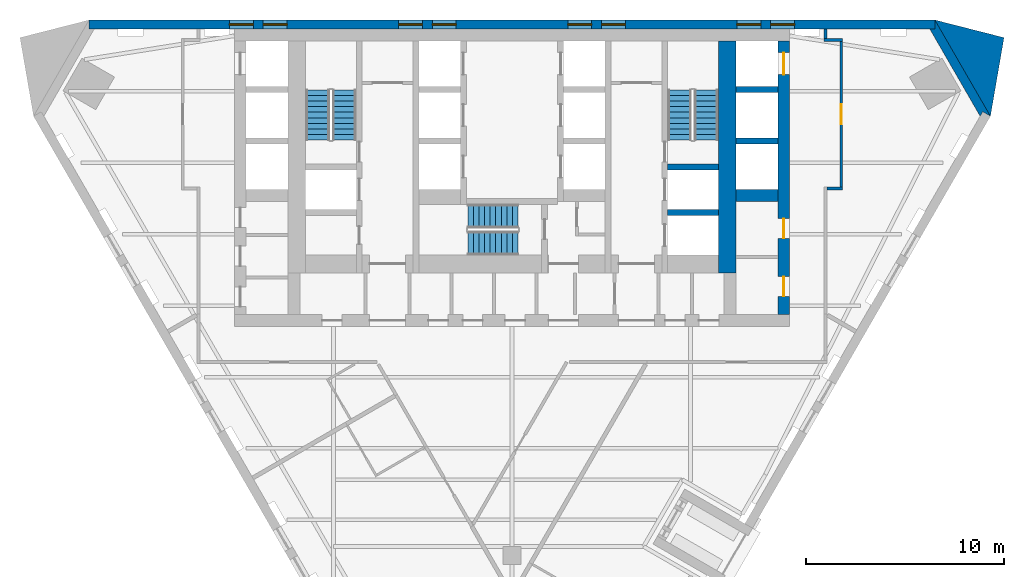
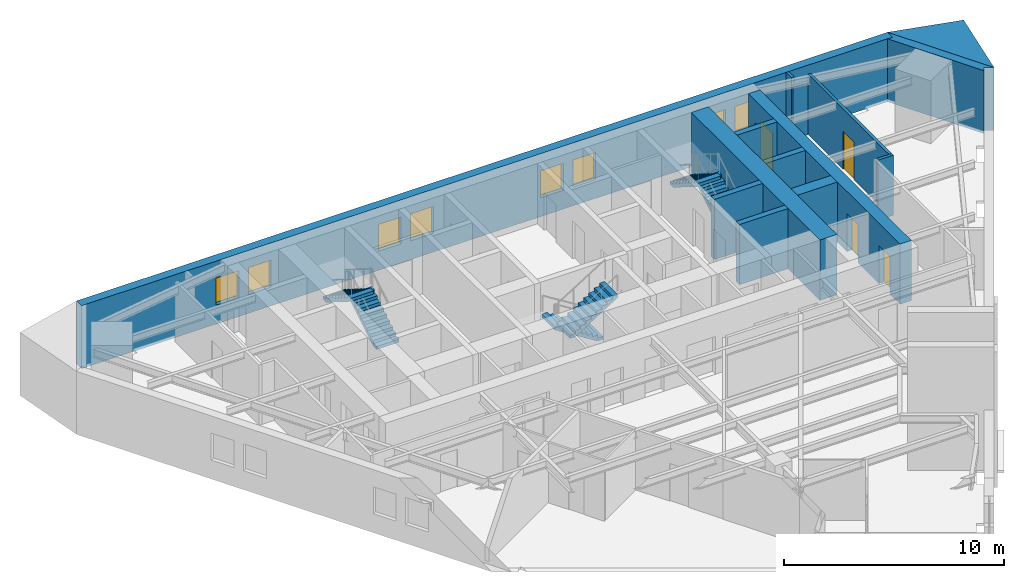
# One storey, part 6 of 7: 14 walls, 8 windows, 6 stair flights, 4 doors, 12 openings, 3 elements without a shape of their own.
"""IFC4 building model written with IfcOpenShell, lengths in metres."""

from ifc_helpers import new_model, si_unit, direction, frame, frame_2d, origin, place, context, subcontext, project, spatial, polyline, rectangle, outline, extrude, material, layer, layer_set, type_object, element, fill, aggregate, save


model = new_model("IFC4")

# Units and contexts
model_context = context("Model", 3, precision=1e-05, world=origin(), true_north=direction((0.0, 1.0)))
body_context = subcontext(model_context, "Body", "Model", "MODEL_VIEW")
ifc_project = project(units=[si_unit("LENGTHUNIT", "METRE"), si_unit("AREAUNIT", "SQUARE_METRE"), si_unit("VOLUMEUNIT", "CUBIC_METRE"), si_unit("PLANEANGLEUNIT", "RADIAN"), si_unit("MASSUNIT", "GRAM", prefix="KILO")], contexts=[model_context])

# Site, building, storey
site_placement = place(None, origin())
site = spatial("IfcSite", under=ifc_project, at=site_placement, CompositionType="ELEMENT")
building_placement = place(site_placement, origin())
building = spatial("IfcBuilding", under=site, at=building_placement, Name="Aloe Facet Convention Tower", CompositionType="ELEMENT")
storey_placement = place(building_placement, frame((0.0, 0.0, 113.300048828125)))
storey = spatial("IfcBuildingStorey", under=building, at=storey_placement, Name="L28", CompositionType="ELEMENT", Elevation=113.300048828125)

# Walls
ifc_material_1 = material(Name="Concrete C70/85", Category="concrete")
ifc_layer_1 = layer(ifc_material_1, 0.300048828125)
ifc_layer_set_1 = layer_set([ifc_layer_1], Name="CR-W-RC300-C7085")
wall_type_1 = type_object("IfcWallType", Name="CR-W-RC300-C7085", PredefinedType="SOLIDWALL", material=ifc_layer_set_1)
for number, where, z_axis, x_axis, name in (
    (1, (87.85009765625, 127.60009765625, 0.0), (0.0, 0.0, 1.0), (1.0, 0.0, 0.0), "Core wall L28-044"),
    (2, (87.85009765625, 125.300048828125, 0.0), (0.0, 0.0, 1.0), (1.0, 0.0, 0.0), "Core wall L28-045"),
):
    element("IfcWall", number, at=place(storey_placement, frame(where, z_axis=z_axis, x_axis=x_axis)), inside=storey, type_object=wall_type_1, Name=name, PredefinedType="SOLIDWALL", context=body_context, shape_type="SweptSolid", body=[
        extrude(rectangle(XDim=2.5498046875, YDim=0.300048828125, at=frame_2d((1.27490234375, 0.0))), origin(), (0.0, 0.0, 1.0), 3.349853515625),
    ])
for number, where, z_axis, x_axis, name in (
    (3, (91.300048828125, 131.5, 0.0), (0.0, 0.0, 1.0), (1.0, 0.0, 0.0), "Core wall L28-050"),
    (4, (91.300048828125, 128.89990234375, 0.0), (0.0, 0.0, 1.0), (1.0, 0.0, 0.0), "Core wall L28-051"),
):
    element("IfcWall", number, at=place(storey_placement, frame(where, z_axis=z_axis, x_axis=x_axis)), inside=storey, type_object=wall_type_1, Name=name, PredefinedType="SOLIDWALL", context=body_context, shape_type="SweptSolid", body=[
        extrude(rectangle(XDim=2.099853515625, YDim=0.300048828125, at=frame_2d((1.0498046875, 0.0))), origin(), (0.0, 0.0, 1.0), 3.349853515625),
    ])
ifc_material_2 = material(Name="Concrete C70/85", Category="concrete")
ifc_layer_2 = layer(ifc_material_2, 0.60009765625)
ifc_layer_set_2 = layer_set([ifc_layer_2], Name="CR-W-RC600-C7085")
wall_type_2 = type_object("IfcWallType", Name="CR-W-RC600-C7085", PredefinedType="SOLIDWALL", material=ifc_layer_set_2)
wall_1_placement = place(storey_placement, frame((91.300048828125, 126.14990234375, 0.0), z_axis=(0.0, 0.0, 1.0), x_axis=(1.0, 0.0, 0.0)))
element("IfcWall", 5, at=wall_1_placement, inside=storey, type_object=wall_type_2, Name="Core wall L28-052", PredefinedType="SOLIDWALL", context=body_context, shape_type="SweptSolid", body=[
    extrude(rectangle(XDim=2.099853515625, YDim=0.60009765625, at=frame_2d((1.0498046875, 0.0))), origin(), (0.0, 0.0, 1.0), 3.349853515625),
])

# Wall, openings, doors
wall_2_placement = place(storey_placement, frame((93.699951171875, 133.949951171875, 0.0), z_axis=(0.0, 0.0, 1.0), x_axis=(0.0, -1.0, 0.0)))
wall_2 = element("IfcWall", 6, at=wall_2_placement, inside=storey, type_object=wall_type_2, Name="Core wall L28-054", PredefinedType="SOLIDWALL", context=body_context, shape_type="SweptSolid", body=[
    extrude(rectangle(XDim=13.800048828125, YDim=0.60009765625, at=frame_2d((6.89990234375, 0.0))), origin(), (0.0, 0.0, 1.0), 3.349853515625),
])
opening_1_placement = place(wall_2_placement, frame((0.60009765625, 0.0, 0.0)))
opening_1 = element("IfcOpeningElement", 7, at=opening_1_placement, cuts=wall_2, Name="Opening LD-A8-L28", PredefinedType="OPENING", context=body_context, shape_type="SweptSolid", body=[
    extrude(rectangle(XDim=1.10009765625, YDim=2.10009765625, at=frame_2d((0.550048828125, 1.050048828125))), frame((0.0, 0.31005859375, 0.0), z_axis=(0.0, -1.0, 0.0), x_axis=(1.0, 0.0, 0.0)), (0.0, 0.0, 1.0), 0.6201171875),
])
opening_2_placement = place(wall_2_placement, frame((8.963134765625, 0.0, 0.0)))
opening_2 = element("IfcOpeningElement", 8, at=opening_2_placement, cuts=wall_2, Name="Opening L28-CD09", PredefinedType="OPENING", context=body_context, shape_type="SweptSolid", body=[
    extrude(rectangle(XDim=1.0, YDim=2.10009765625, at=frame_2d((0.5, 1.050048828125))), frame((0.0, 0.31005859375, 0.0), z_axis=(0.0, -1.0, 0.0), x_axis=(1.0, 0.0, 0.0)), (0.0, 0.0, 1.0), 0.6201171875),
])
opening_3_placement = place(wall_2_placement, frame((11.88818359375, 0.0, 0.0)))
opening_3 = element("IfcOpeningElement", 9, at=opening_3_placement, cuts=wall_2, Name="Opening L28-CD10", PredefinedType="OPENING", context=body_context, shape_type="SweptSolid", body=[
    extrude(rectangle(XDim=1.0, YDim=2.10009765625, at=frame_2d((0.5, 1.050048828125))), frame((0.0, 0.31005859375, 0.0), z_axis=(0.0, -1.0, 0.0), x_axis=(1.0, 0.0, 0.0)), (0.0, 0.0, 1.0), 0.6201171875),
])
ifc_material_3 = material(Name="Steel fire-resisting door set FD60", Category="steel")
door_type_1 = type_object("IfcDoorType", Name="CR-D-ROOM-1000-FD60-SLEFT", OperationType="SINGLE_SWING_LEFT", PredefinedType="DOOR", material=ifc_material_3)
door_1_placement = place(opening_2_placement, origin())
door_1 = element("IfcDoor", 10, at=door_1_placement, inside=storey, type_object=door_type_1, Name="Core door L28-CD09", OperationType="SINGLE_SWING_LEFT", OverallHeight=2.10009765625, OverallWidth=1.0, PredefinedType="DOOR", context=body_context, shape_type="SweptSolid", body=[
    extrude(rectangle(XDim=1.0, YDim=2.10009765625, at=frame_2d((0.5, 1.050048828125))), frame((0.0, 0.02490234375, 0.0), z_axis=(0.0, -1.0, 0.0), x_axis=(1.0, 0.0, 0.0)), (0.0, 0.0, 1.0), 0.050048828125),
])
fill(opening_2, door_1)
door_2_placement = place(opening_3_placement, origin())
door_2 = element("IfcDoor", 11, at=door_2_placement, inside=storey, type_object=door_type_1, Name="Core door L28-CD10", OperationType="SINGLE_SWING_LEFT", OverallHeight=2.10009765625, OverallWidth=1.0, PredefinedType="DOOR", context=body_context, shape_type="SweptSolid", body=[
    extrude(rectangle(XDim=1.0, YDim=2.10009765625, at=frame_2d((0.5, 1.050048828125))), frame((0.0, 0.02490234375, 0.0), z_axis=(0.0, -1.0, 0.0), x_axis=(1.0, 0.0, 0.0)), (0.0, 0.0, 1.0), 0.050048828125),
])
fill(opening_3, door_2)
ifc_material_4 = material(Name="Stainless steel sliding landing door", Category="steel")
door_type_2 = type_object("IfcDoorType", Name="CR-LD-1100-FD60-_LEFT", OperationType="SLIDING_TO_LEFT", PredefinedType="DOOR", material=ifc_material_4)
door_3_placement = place(opening_1_placement, origin())
door_3 = element("IfcDoor", 12, at=door_3_placement, inside=storey, type_object=door_type_2, Name="Landing door A8 L28", OperationType="SLIDING_TO_LEFT", OverallHeight=2.10009765625, OverallWidth=1.10009765625, PredefinedType="DOOR", context=body_context, shape_type="SweptSolid", body=[
    extrude(rectangle(XDim=1.10009765625, YDim=2.10009765625, at=frame_2d((0.550048828125, 1.050048828125))), frame((0.0, 0.02490234375, 0.0), z_axis=(0.0, -1.0, 0.0), x_axis=(1.0, 0.0, 0.0)), (0.0, 0.0, 1.0), 0.050048828125),
])
fill(opening_1, door_3)

# Walls
ifc_material_5 = material(Name="Concrete C70/85", Category="concrete")
ifc_layer_3 = layer(ifc_material_5, 0.89990234375)
ifc_layer_set_3 = layer_set([ifc_layer_3], Name="CR-W-RC900-C7085")
wall_type_3 = type_object("IfcWallType", Name="CR-W-RC900-C7085", PredefinedType="SOLIDWALL", material=ifc_layer_set_3)
wall_3_placement = place(storey_placement, frame((90.85009765625, 133.949951171875, 0.0), z_axis=(0.0, 0.0, 1.0), x_axis=(0.0, -1.0, 0.0)))
element("IfcWall", 13, at=wall_3_placement, inside=storey, type_object=wall_type_3, Name="Core wall L28-048", PredefinedType="SOLIDWALL", context=body_context, shape_type="SweptSolid", body=[
    extrude(rectangle(XDim=11.699951171875, YDim=0.89990234375, at=frame_2d((5.85009765625, 0.0))), origin(), (0.0, 0.0, 1.0), 3.349853515625),
])
ifc_material_6 = material(Name="Precast concrete C40/50", Category="concrete")
ifc_layer_4 = layer(ifc_material_6, 0.449951171875)
ifc_layer_set_4 = layer_set([ifc_layer_4], Name="EV-WALL-PIER")
wall_type_4 = type_object("IfcWallType", Name="EV-WALL-PIER", PredefinedType="SOLIDWALL", material=ifc_layer_set_4)
wall_4_placement = place(storey_placement, frame((0.0, 0.0, -0.150146484375)))
element("IfcWall", 14, at=wall_4_placement, inside=storey, type_object=wall_type_4, Name="EP-L28-C", PredefinedType="SOLIDWALL", context=body_context, shape_type="SweptSolid", body=[
    extrude(outline(polyline([(104.12158203125, 130.150146484375), (103.73193359375, 130.375244140625), (103.601806640625, 130.150146484375), (101.061767578125, 134.550048828125), (101.321533203125, 134.550048828125), (101.321533203125, 135.0), (104.12158203125, 130.150146484375)])), origin(), (0.0, 0.0, 1.0), 3.5),
])
ifc_material_7 = material(Name="Precast concrete C40/50", Category="concrete")
ifc_layer_5 = layer(ifc_material_7, 3.947998046875)
ifc_layer_set_5 = layer_set([ifc_layer_5], Name="EV-WALL-SPINE")
wall_type_5 = type_object("IfcWallType", Name="EV-WALL-SPINE", PredefinedType="SOLIDWALL", material=ifc_layer_set_5)
wall_5_placement = place(storey_placement, frame((0.0, 0.0, -0.150146484375)))
element("IfcWall", 15, at=wall_5_placement, inside=storey, type_object=wall_type_5, Name="SP-NE-L28", PredefinedType="SOLIDWALL", context=body_context, shape_type="SweptSolid", body=[
    extrude(outline(polyline([(104.12158203125, 130.150146484375), (104.804931640625, 134.11181640625), (101.321533203125, 135.0), (104.12158203125, 130.150146484375)])), origin(), (0.0, 0.0, 1.0), 3.5),
])

# Wall, openings, windows
ifc_material_8 = material(Name="Precast concrete C40/50", Category="concrete")
ifc_layer_6 = layer(ifc_material_8, 0.449951171875)
ifc_layer_set_6 = layer_set([ifc_layer_6], Name="EV-WALL-STONE")
wall_type_6 = type_object("IfcWallType", Name="EV-WALL-STONE", PredefinedType="SOLIDWALL", material=ifc_layer_set_6)
wall_6_placement = place(storey_placement, frame((101.321533203125, 134.77490234375, -0.150146484375), z_axis=(0.0, 0.0, 1.0), x_axis=(-1.0, 0.0, 0.0)))
wall_6 = element("IfcWall", 16, at=wall_6_placement, inside=storey, type_object=wall_type_6, Name="EW-L28-N01", PredefinedType="SOLIDWALL", context=body_context, shape_type="SweptSolid", body=[
    extrude(outline(polyline([(42.64306640625, 0.0), (42.64306640625, 3.5), (0.0, 3.5), (0.0, 0.0), (42.64306640625, 0.0)])), frame((0.0, 0.22509765625, 0.0), z_axis=(0.0, -1.0, 0.0), x_axis=(1.0, 0.0, 0.0)), (0.0, 0.0, 1.0), 0.449951171875),
])
opening_4_placement = place(wall_6_placement, frame((7.07861328125, 0.0, 1.050048828125)))
opening_4 = element("IfcOpeningElement", 17, at=opening_4_placement, cuts=wall_6, Name="Opening W-L28-N01", PredefinedType="OPENING", context=body_context, shape_type="SweptSolid", body=[
    extrude(rectangle(XDim=1.199951171875, YDim=1.5, at=frame_2d((0.60009765625, 0.75))), frame((0.0, 0.23486328125, 0.0), z_axis=(0.0, -1.0, 0.0), x_axis=(1.0, 0.0, 0.0)), (0.0, 0.0, 1.0), 0.469970703125),
])
opening_5_placement = place(wall_6_placement, frame((8.778564453125, 0.0, 1.050048828125)))
opening_5 = element("IfcOpeningElement", 18, at=opening_5_placement, cuts=wall_6, Name="Opening W-L28-N02", PredefinedType="OPENING", context=body_context, shape_type="SweptSolid", body=[
    extrude(rectangle(XDim=1.199951171875, YDim=1.5, at=frame_2d((0.60009765625, 0.75))), frame((0.0, 0.23486328125, 0.0), z_axis=(0.0, -1.0, 0.0), x_axis=(1.0, 0.0, 0.0)), (0.0, 0.0, 1.0), 0.469970703125),
])
opening_6_placement = place(wall_6_placement, frame((15.607177734375, 0.0, 1.050048828125)))
opening_6 = element("IfcOpeningElement", 19, at=opening_6_placement, cuts=wall_6, Name="Opening W-L28-N03", PredefinedType="OPENING", context=body_context, shape_type="SweptSolid", body=[
    extrude(rectangle(XDim=1.199951171875, YDim=1.5, at=frame_2d((0.60009765625, 0.75))), frame((0.0, 0.23486328125, 0.0), z_axis=(0.0, -1.0, 0.0), x_axis=(1.0, 0.0, 0.0)), (0.0, 0.0, 1.0), 0.469970703125),
])
opening_7_placement = place(wall_6_placement, frame((17.30712890625, 0.0, 1.050048828125)))
opening_7 = element("IfcOpeningElement", 20, at=opening_7_placement, cuts=wall_6, Name="Opening W-L28-N04", PredefinedType="OPENING", context=body_context, shape_type="SweptSolid", body=[
    extrude(rectangle(XDim=1.199951171875, YDim=1.5, at=frame_2d((0.60009765625, 0.75))), frame((0.0, 0.23486328125, 0.0), z_axis=(0.0, -1.0, 0.0), x_axis=(1.0, 0.0, 0.0)), (0.0, 0.0, 1.0), 0.469970703125),
])
opening_8_placement = place(wall_6_placement, frame((24.1357421875, 0.0, 1.050048828125)))
opening_8 = element("IfcOpeningElement", 21, at=opening_8_placement, cuts=wall_6, Name="Opening W-L28-N05", PredefinedType="OPENING", context=body_context, shape_type="SweptSolid", body=[
    extrude(rectangle(XDim=1.199951171875, YDim=1.5, at=frame_2d((0.60009765625, 0.75))), frame((0.0, 0.23486328125, 0.0), z_axis=(0.0, -1.0, 0.0), x_axis=(1.0, 0.0, 0.0)), (0.0, 0.0, 1.0), 0.469970703125),
])
opening_9_placement = place(wall_6_placement, frame((25.8359375, 0.0, 1.050048828125)))
opening_9 = element("IfcOpeningElement", 22, at=opening_9_placement, cuts=wall_6, Name="Opening W-L28-N06", PredefinedType="OPENING", context=body_context, shape_type="SweptSolid", body=[
    extrude(rectangle(XDim=1.199951171875, YDim=1.5, at=frame_2d((0.60009765625, 0.75))), frame((0.0, 0.23486328125, 0.0), z_axis=(0.0, -1.0, 0.0), x_axis=(1.0, 0.0, 0.0)), (0.0, 0.0, 1.0), 0.469970703125),
])
opening_10_placement = place(wall_6_placement, frame((32.66455078125, 0.0, 1.050048828125)))
opening_10 = element("IfcOpeningElement", 23, at=opening_10_placement, cuts=wall_6, Name="Opening W-L28-N07", PredefinedType="OPENING", context=body_context, shape_type="SweptSolid", body=[
    extrude(rectangle(XDim=1.199951171875, YDim=1.5, at=frame_2d((0.60009765625, 0.75))), frame((0.0, 0.23486328125, 0.0), z_axis=(0.0, -1.0, 0.0), x_axis=(1.0, 0.0, 0.0)), (0.0, 0.0, 1.0), 0.469970703125),
])
opening_11_placement = place(wall_6_placement, frame((34.364501953125, 0.0, 1.050048828125)))
opening_11 = element("IfcOpeningElement", 24, at=opening_11_placement, cuts=wall_6, Name="Opening W-L28-N08", PredefinedType="OPENING", context=body_context, shape_type="SweptSolid", body=[
    extrude(rectangle(XDim=1.199951171875, YDim=1.5, at=frame_2d((0.60009765625, 0.75))), frame((0.0, 0.23486328125, 0.0), z_axis=(0.0, -1.0, 0.0), x_axis=(1.0, 0.0, 0.0)), (0.0, 0.0, 1.0), 0.469970703125),
])
ifc_material_9 = material(Name="Aluminium frame, clear double glazing", Category="aluminium")
window_type = type_object("IfcWindowType", Name="EV-WIN-H12", PartitioningType="SINGLE_PANEL", PredefinedType="WINDOW", material=ifc_material_9)
window_1_placement = place(opening_4_placement, origin())
window_1 = element("IfcWindow", 25, at=window_1_placement, inside=storey, type_object=window_type, Name="W-L28-N01", OverallHeight=1.5, OverallWidth=1.199951171875, PartitioningType="SINGLE_PANEL", PredefinedType="WINDOW", context=body_context, shape_type="SweptSolid", body=[
    extrude(rectangle(XDim=1.199951171875, YDim=1.5, at=frame_2d((0.60009765625, 0.75))), frame((0.0, 0.030029296875, 0.0), z_axis=(0.0, -1.0, 0.0), x_axis=(1.0, 0.0, 0.0)), (0.0, 0.0, 1.0), 0.06005859375),
])
fill(opening_4, window_1)
window_2_placement = place(opening_5_placement, origin())
window_2 = element("IfcWindow", 26, at=window_2_placement, inside=storey, type_object=window_type, Name="W-L28-N02", OverallHeight=1.5, OverallWidth=1.199951171875, PartitioningType="SINGLE_PANEL", PredefinedType="WINDOW", context=body_context, shape_type="SweptSolid", body=[
    extrude(rectangle(XDim=1.199951171875, YDim=1.5, at=frame_2d((0.60009765625, 0.75))), frame((0.0, 0.030029296875, 0.0), z_axis=(0.0, -1.0, 0.0), x_axis=(1.0, 0.0, 0.0)), (0.0, 0.0, 1.0), 0.06005859375),
])
fill(opening_5, window_2)
window_3_placement = place(opening_6_placement, origin())
window_3 = element("IfcWindow", 27, at=window_3_placement, inside=storey, type_object=window_type, Name="W-L28-N03", OverallHeight=1.5, OverallWidth=1.199951171875, PartitioningType="SINGLE_PANEL", PredefinedType="WINDOW", context=body_context, shape_type="SweptSolid", body=[
    extrude(rectangle(XDim=1.199951171875, YDim=1.5, at=frame_2d((0.60009765625, 0.75))), frame((0.0, 0.030029296875, 0.0), z_axis=(0.0, -1.0, 0.0), x_axis=(1.0, 0.0, 0.0)), (0.0, 0.0, 1.0), 0.06005859375),
])
fill(opening_6, window_3)
window_4_placement = place(opening_7_placement, origin())
window_4 = element("IfcWindow", 28, at=window_4_placement, inside=storey, type_object=window_type, Name="W-L28-N04", OverallHeight=1.5, OverallWidth=1.199951171875, PartitioningType="SINGLE_PANEL", PredefinedType="WINDOW", context=body_context, shape_type="SweptSolid", body=[
    extrude(rectangle(XDim=1.199951171875, YDim=1.5, at=frame_2d((0.60009765625, 0.75))), frame((0.0, 0.030029296875, 0.0), z_axis=(0.0, -1.0, 0.0), x_axis=(1.0, 0.0, 0.0)), (0.0, 0.0, 1.0), 0.06005859375),
])
fill(opening_7, window_4)
window_5_placement = place(opening_8_placement, origin())
window_5 = element("IfcWindow", 29, at=window_5_placement, inside=storey, type_object=window_type, Name="W-L28-N05", OverallHeight=1.5, OverallWidth=1.199951171875, PartitioningType="SINGLE_PANEL", PredefinedType="WINDOW", context=body_context, shape_type="SweptSolid", body=[
    extrude(rectangle(XDim=1.199951171875, YDim=1.5, at=frame_2d((0.60009765625, 0.75))), frame((0.0, 0.030029296875, 0.0), z_axis=(0.0, -1.0, 0.0), x_axis=(1.0, 0.0, 0.0)), (0.0, 0.0, 1.0), 0.06005859375),
])
fill(opening_8, window_5)
window_6_placement = place(opening_9_placement, origin())
window_6 = element("IfcWindow", 30, at=window_6_placement, inside=storey, type_object=window_type, Name="W-L28-N06", OverallHeight=1.5, OverallWidth=1.199951171875, PartitioningType="SINGLE_PANEL", PredefinedType="WINDOW", context=body_context, shape_type="SweptSolid", body=[
    extrude(rectangle(XDim=1.199951171875, YDim=1.5, at=frame_2d((0.60009765625, 0.75))), frame((0.0, 0.030029296875, 0.0), z_axis=(0.0, -1.0, 0.0), x_axis=(1.0, 0.0, 0.0)), (0.0, 0.0, 1.0), 0.06005859375),
])
fill(opening_9, window_6)
window_7_placement = place(opening_10_placement, origin())
window_7 = element("IfcWindow", 31, at=window_7_placement, inside=storey, type_object=window_type, Name="W-L28-N07", OverallHeight=1.5, OverallWidth=1.199951171875, PartitioningType="SINGLE_PANEL", PredefinedType="WINDOW", context=body_context, shape_type="SweptSolid", body=[
    extrude(rectangle(XDim=1.199951171875, YDim=1.5, at=frame_2d((0.60009765625, 0.75))), frame((0.0, 0.030029296875, 0.0), z_axis=(0.0, -1.0, 0.0), x_axis=(1.0, 0.0, 0.0)), (0.0, 0.0, 1.0), 0.06005859375),
])
fill(opening_10, window_7)
window_8_placement = place(opening_11_placement, origin())
window_8 = element("IfcWindow", 32, at=window_8_placement, inside=storey, type_object=window_type, Name="W-L28-N08", OverallHeight=1.5, OverallWidth=1.199951171875, PartitioningType="SINGLE_PANEL", PredefinedType="WINDOW", context=body_context, shape_type="SweptSolid", body=[
    extrude(rectangle(XDim=1.199951171875, YDim=1.5, at=frame_2d((0.60009765625, 0.75))), frame((0.0, 0.030029296875, 0.0), z_axis=(0.0, -1.0, 0.0), x_axis=(1.0, 0.0, 0.0)), (0.0, 0.0, 1.0), 0.06005859375),
])
fill(opening_11, window_8)

# Walls
ifc_material_10 = material(Name="Gypsum board partition on steel studs", Category="steel")
ifc_layer_7 = layer(ifc_material_10, 0.14990234375)
ifc_layer_set_7 = layer_set([ifc_layer_7], Name="IN-W-CORR")
wall_type_7 = type_object("IfcWallType", Name="IN-W-CORR", PredefinedType="PARTITIONING", material=ifc_layer_set_7)
wall_7_placement = place(storey_placement, frame((95.875, 126.5, 0.0), z_axis=(0.0, 0.0, 1.0), x_axis=(1.0, 0.0, 0.0)))
element("IfcWall", 33, at=wall_7_placement, inside=storey, type_object=wall_type_7, Name="Partition L28-W036", PredefinedType="PARTITIONING", context=body_context, shape_type="SweptSolid", body=[
    extrude(rectangle(XDim=0.800048828125, YDim=0.14990234375, at=frame_2d((0.39990234375, 0.0))), origin(), (0.0, 0.0, 1.0), 3.349853515625),
])
wall_8_placement = place(storey_placement, frame((95.72509765625, 134.0, 0.0), z_axis=(0.0, 0.0, 1.0), x_axis=(1.0, 0.0, 0.0)))
element("IfcWall", 34, at=wall_8_placement, inside=storey, type_object=wall_type_7, Name="Partition L28-W039", PredefinedType="PARTITIONING", context=body_context, shape_type="SweptSolid", body=[
    extrude(rectangle(XDim=0.949951171875, YDim=0.14990234375, at=frame_2d((0.47509765625, 0.0))), origin(), (0.0, 0.0, 1.0), 2.886474609375),
])

# Wall, opening, door
wall_9_placement = place(storey_placement, frame((96.60009765625, 126.574951171875, 0.0), z_axis=(0.0, 0.0, 1.0), x_axis=(0.0, 1.0, 0.0)))
wall_9 = element("IfcWall", 35, at=wall_9_placement, inside=storey, type_object=wall_type_7, Name="Partition L28-W040", PredefinedType="PARTITIONING", context=body_context, shape_type="SweptSolid", body=[
    extrude(rectangle(XDim=7.35009765625, YDim=0.14990234375, at=frame_2d((3.675048828125, 0.0))), origin(), (0.0, 0.0, 1.0), 3.349853515625),
])
opening_12_placement = place(wall_9_placement, frame((3.175048828125, 0.0, 0.0)))
opening_12 = element("IfcOpeningElement", 36, at=opening_12_placement, cuts=wall_9, Name="Opening L28-006", PredefinedType="OPENING", context=body_context, shape_type="SweptSolid", body=[
    extrude(rectangle(XDim=1.0, YDim=2.10009765625, at=frame_2d((0.5, 1.050048828125))), frame((0.0, 0.0849609375, 0.0), z_axis=(0.0, -1.0, 0.0), x_axis=(1.0, 0.0, 0.0)), (0.0, 0.0, 1.0), 0.169921875),
])
ifc_material_11 = material(Name="Hardwood flush door FD30S", Category="wood")
door_type_3 = type_object("IfcDoorType", Name="IN-D-WIDE", OperationType="SINGLE_SWING_LEFT", PredefinedType="DOOR", material=ifc_material_11)
door_4_placement = place(opening_12_placement, origin())
door_4 = element("IfcDoor", 37, at=door_4_placement, inside=storey, type_object=door_type_3, Name="Door L28-006", OperationType="SINGLE_SWING_LEFT", OverallHeight=2.10009765625, OverallWidth=1.0, PredefinedType="DOOR", context=body_context, shape_type="SweptSolid", body=[
    extrude(rectangle(XDim=1.0, YDim=2.10009765625, at=frame_2d((0.5, 1.050048828125))), frame((0.0, 0.02490234375, 0.0), z_axis=(0.0, -1.0, 0.0), x_axis=(1.0, 0.0, 0.0)), (0.0, 0.0, 1.0), 0.050048828125),
])
fill(opening_12, door_4)

# Wall
wall_10_placement = place(storey_placement, frame((95.800048828125, 134.074951171875, 0.0), z_axis=(0.0, 0.0, 1.0), x_axis=(0.0, 1.0, 0.0)))
element("IfcWall", 38, at=wall_10_placement, inside=storey, type_object=wall_type_7, Name="Partition L28-W041", PredefinedType="PARTITIONING", context=body_context, shape_type="SweptSolid", body=[
    extrude(rectangle(XDim=0.465087890625, YDim=0.14990234375, at=frame_2d((0.232421875, 0.0))), origin(), (0.0, 0.0, 1.0), 3.349853515625),
])

# Stair, stair flights
ifc_material_12 = material(Name="Concrete C50/60", Category="concrete")
stair_type = type_object("IfcStairType", Name="CR-ST-20R", PredefinedType="HALF_TURN_STAIR", material=ifc_material_12)
stair_1_placement = place(storey_placement, origin())
stair_1 = element("IfcStair", 39, at=stair_1_placement, inside=storey, type_object=stair_type, Name="L28 Protected exit stair ST1", PredefinedType="HALF_TURN_STAIR")
ifc_material_13 = material(Name="Concrete C50/60", Category="concrete")
stair_flight_type = type_object("IfcStairFlightType", Name="CR-SFL-20R", PredefinedType="STRAIGHT", material=ifc_material_13)
stair_flight_1_placement = place(storey_placement, frame((71.550048828125, 128.949951171875, 0.0), z_axis=(0.0, 0.0, 1.0), x_axis=(0.0, 1.0, 0.0)))
stair_flight_1 = element("IfcStairFlight", 40, at=stair_flight_1_placement, type_object=stair_flight_type, Name="ST1 flight 1", NumberOfRisers=10, NumberOfTreads=9, PredefinedType="STRAIGHT", RiserHeight=0.175, TreadLength=0.28, context=body_context, shape_type="SweptSolid", body=[
    extrude(outline(polyline([(0.0, 0.0), (0.0, 0.175048828125), (0.280029296875, 0.175048828125), (0.280029296875, 0.35009765625), (0.56005859375, 0.35009765625), (0.56005859375, 0.52490234375), (0.840087890625, 0.52490234375), (0.840087890625, 0.699951171875), (1.1201171875, 0.699951171875), (1.1201171875, 0.875), (1.39990234375, 0.875), (1.39990234375, 1.050048828125), (1.679931640625, 1.050048828125), (1.679931640625, 1.22509765625), (1.9599609375, 1.22509765625), (1.9599609375, 1.39990234375), (2.239990234375, 1.39990234375), (2.239990234375, 1.574951171875), (2.52001953125, 1.574951171875), (2.52001953125, 1.75), (2.52001953125, 1.398193359375), (0.28271484375, 0.0), (0.0, 0.0)])), frame((0.0, 0.60009765625, 0.0), z_axis=(0.0, -1.0, 0.0), x_axis=(1.0, 0.0, 0.0)), (0.0, 0.0, 1.0), 1.199951171875),
])
stair_flight_2_placement = place(storey_placement, frame((70.199951171875, 131.469970703125, 1.75), z_axis=(0.0, 0.0, 1.0), x_axis=(0.0, -1.0, 0.0)))
stair_flight_2 = element("IfcStairFlight", 41, at=stair_flight_2_placement, type_object=stair_flight_type, Name="ST1 flight 2", NumberOfRisers=10, NumberOfTreads=9, PredefinedType="STRAIGHT", RiserHeight=0.175, TreadLength=0.28, context=body_context, shape_type="SweptSolid", body=[
    extrude(outline(polyline([(0.0, 0.0), (0.0, 0.175048828125), (0.280029296875, 0.175048828125), (0.280029296875, 0.35009765625), (0.56005859375, 0.35009765625), (0.56005859375, 0.52490234375), (0.840087890625, 0.52490234375), (0.840087890625, 0.699951171875), (1.1201171875, 0.699951171875), (1.1201171875, 0.875), (1.39990234375, 0.875), (1.39990234375, 1.050048828125), (1.679931640625, 1.050048828125), (1.679931640625, 1.22509765625), (1.9599609375, 1.22509765625), (1.9599609375, 1.39990234375), (2.239990234375, 1.39990234375), (2.239990234375, 1.574951171875), (2.52001953125, 1.574951171875), (2.52001953125, 1.75), (2.52001953125, 1.398193359375), (0.28271484375, 0.0), (0.0, 0.0)])), frame((0.0, 0.60009765625, 0.0), z_axis=(0.0, -1.0, 0.0), x_axis=(1.0, 0.0, 0.0)), (0.0, 0.0, 1.0), 1.199951171875),
])
aggregate(stair_1, [stair_flight_1, stair_flight_2])

stair_2_placement = place(storey_placement, origin())
stair_2 = element("IfcStair", 42, at=stair_2_placement, inside=storey, type_object=stair_type, Name="L28 Protected exit stair ST2", PredefinedType="HALF_TURN_STAIR")
stair_flight_3_placement = place(storey_placement, frame((89.800048828125, 128.949951171875, 0.0), z_axis=(0.0, 0.0, 1.0), x_axis=(0.0, 1.0, 0.0)))
stair_flight_3 = element("IfcStairFlight", 43, at=stair_flight_3_placement, type_object=stair_flight_type, Name="ST2 flight 1", NumberOfRisers=10, NumberOfTreads=9, PredefinedType="STRAIGHT", RiserHeight=0.175, TreadLength=0.28, context=body_context, shape_type="SweptSolid", body=[
    extrude(outline(polyline([(0.0, 0.0), (0.0, 0.175048828125), (0.280029296875, 0.175048828125), (0.280029296875, 0.35009765625), (0.56005859375, 0.35009765625), (0.56005859375, 0.52490234375), (0.840087890625, 0.52490234375), (0.840087890625, 0.699951171875), (1.1201171875, 0.699951171875), (1.1201171875, 0.875), (1.39990234375, 0.875), (1.39990234375, 1.050048828125), (1.679931640625, 1.050048828125), (1.679931640625, 1.22509765625), (1.9599609375, 1.22509765625), (1.9599609375, 1.39990234375), (2.239990234375, 1.39990234375), (2.239990234375, 1.574951171875), (2.52001953125, 1.574951171875), (2.52001953125, 1.75), (2.52001953125, 1.398193359375), (0.28271484375, 0.0), (0.0, 0.0)])), frame((0.0, 0.60009765625, 0.0), z_axis=(0.0, -1.0, 0.0), x_axis=(1.0, 0.0, 0.0)), (0.0, 0.0, 1.0), 1.199951171875),
])
stair_flight_4_placement = place(storey_placement, frame((88.449951171875, 131.469970703125, 1.75), z_axis=(0.0, 0.0, 1.0), x_axis=(0.0, -1.0, 0.0)))
stair_flight_4 = element("IfcStairFlight", 44, at=stair_flight_4_placement, type_object=stair_flight_type, Name="ST2 flight 2", NumberOfRisers=10, NumberOfTreads=9, PredefinedType="STRAIGHT", RiserHeight=0.175, TreadLength=0.28, context=body_context, shape_type="SweptSolid", body=[
    extrude(outline(polyline([(0.0, 0.0), (0.0, 0.175048828125), (0.280029296875, 0.175048828125), (0.280029296875, 0.35009765625), (0.56005859375, 0.35009765625), (0.56005859375, 0.52490234375), (0.840087890625, 0.52490234375), (0.840087890625, 0.699951171875), (1.1201171875, 0.699951171875), (1.1201171875, 0.875), (1.39990234375, 0.875), (1.39990234375, 1.050048828125), (1.679931640625, 1.050048828125), (1.679931640625, 1.22509765625), (1.9599609375, 1.22509765625), (1.9599609375, 1.39990234375), (2.239990234375, 1.39990234375), (2.239990234375, 1.574951171875), (2.52001953125, 1.574951171875), (2.52001953125, 1.75), (2.52001953125, 1.398193359375), (0.28271484375, 0.0), (0.0, 0.0)])), frame((0.0, 0.60009765625, 0.0), z_axis=(0.0, -1.0, 0.0), x_axis=(1.0, 0.0, 0.0)), (0.0, 0.0, 1.0), 1.199951171875),
])
aggregate(stair_2, [stair_flight_3, stair_flight_4])

stair_3_placement = place(storey_placement, origin())
stair_3 = element("IfcStair", 45, at=stair_3_placement, inside=storey, type_object=stair_type, Name="L28 Protected exit stair ST3", PredefinedType="HALF_TURN_STAIR")
stair_flight_5_placement = place(storey_placement, frame((80.300048828125, 125.10009765625, 0.0), z_axis=(0.0, 0.0, 1.0), x_axis=(-1.0, 0.0, 0.0)))
stair_flight_5 = element("IfcStairFlight", 46, at=stair_flight_5_placement, type_object=stair_flight_type, Name="ST3 flight 1", NumberOfRisers=10, NumberOfTreads=9, PredefinedType="STRAIGHT", RiserHeight=0.175, TreadLength=0.28, context=body_context, shape_type="SweptSolid", body=[
    extrude(outline(polyline([(0.0, 0.0), (0.0, 0.175048828125), (0.280029296875, 0.175048828125), (0.280029296875, 0.35009765625), (0.56005859375, 0.35009765625), (0.56005859375, 0.52490234375), (0.840087890625, 0.52490234375), (0.840087890625, 0.699951171875), (1.1201171875, 0.699951171875), (1.1201171875, 0.875), (1.39990234375, 0.875), (1.39990234375, 1.050048828125), (1.679931640625, 1.050048828125), (1.679931640625, 1.22509765625), (1.9599609375, 1.22509765625), (1.9599609375, 1.39990234375), (2.239990234375, 1.39990234375), (2.239990234375, 1.574951171875), (2.52001953125, 1.574951171875), (2.52001953125, 1.75), (2.52001953125, 1.398193359375), (0.28271484375, 0.0), (0.0, 0.0)])), frame((0.0, 0.60009765625, 0.0), z_axis=(0.0, -1.0, 0.0), x_axis=(1.0, 0.0, 0.0)), (0.0, 0.0, 1.0), 1.199951171875),
])
stair_flight_6_placement = place(storey_placement, frame((77.780029296875, 123.75, 1.75), z_axis=(0.0, 0.0, 1.0), x_axis=(1.0, 0.0, 0.0)))
stair_flight_6 = element("IfcStairFlight", 47, at=stair_flight_6_placement, type_object=stair_flight_type, Name="ST3 flight 2", NumberOfRisers=10, NumberOfTreads=9, PredefinedType="STRAIGHT", RiserHeight=0.175, TreadLength=0.28, context=body_context, shape_type="SweptSolid", body=[
    extrude(outline(polyline([(0.0, 0.0), (0.0, 0.175048828125), (0.280029296875, 0.175048828125), (0.280029296875, 0.35009765625), (0.56005859375, 0.35009765625), (0.56005859375, 0.52490234375), (0.840087890625, 0.52490234375), (0.840087890625, 0.699951171875), (1.1201171875, 0.699951171875), (1.1201171875, 0.875), (1.39990234375, 0.875), (1.39990234375, 1.050048828125), (1.679931640625, 1.050048828125), (1.679931640625, 1.22509765625), (1.9599609375, 1.22509765625), (1.9599609375, 1.39990234375), (2.239990234375, 1.39990234375), (2.239990234375, 1.574951171875), (2.52001953125, 1.574951171875), (2.52001953125, 1.75), (2.52001953125, 1.398193359375), (0.28271484375, 0.0), (0.0, 0.0)])), frame((0.0, 0.60009765625, 0.0), z_axis=(0.0, -1.0, 0.0), x_axis=(1.0, 0.0, 0.0)), (0.0, 0.0, 1.0), 1.199951171875),
])
aggregate(stair_3, [stair_flight_5, stair_flight_6])

save(model, "model.ifc")
